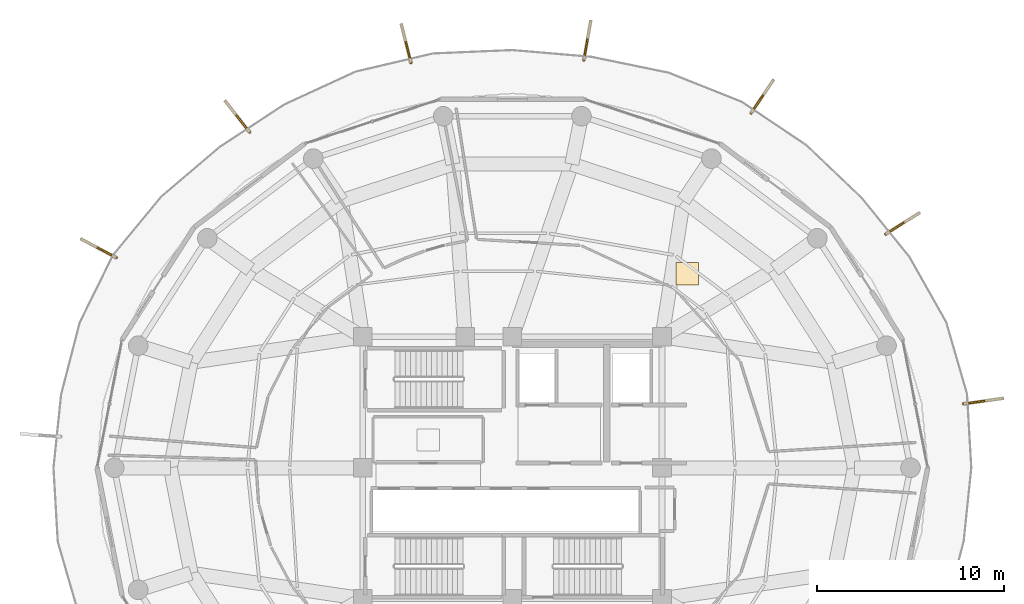
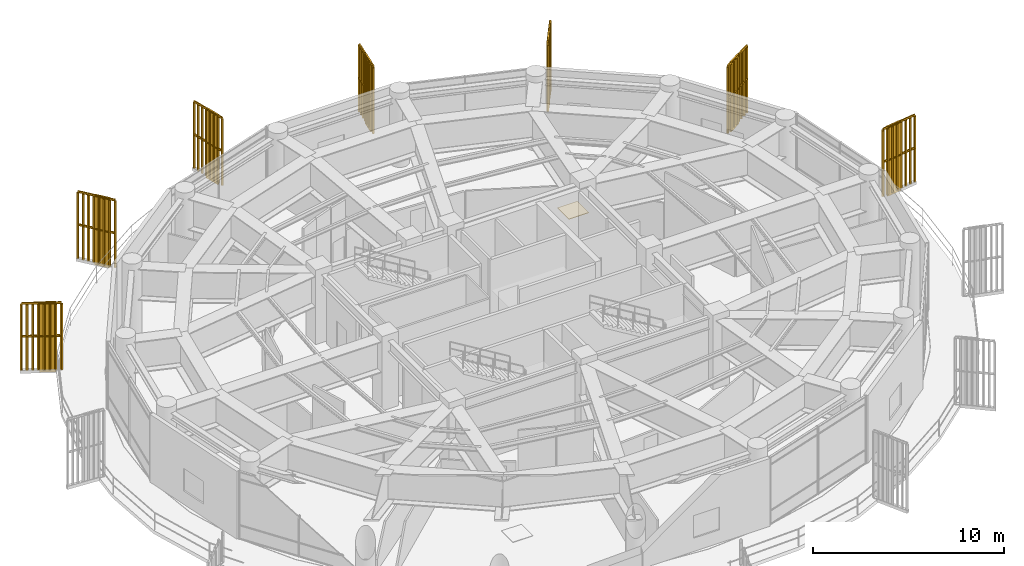
# One storey, part 29 of 29: 7 railings, 7 shading devices, 1 covering.
"""IFC4 building model written with IfcOpenShell, lengths in metres."""

from ifc_helpers import new_model, si_unit, direction, frame, origin, origin_2d, place, context, subcontext, project, spatial, polyline, rectangle, outline, extrude, source, transform, mapped, material, layer, layer_set, type_object, element, save


model = new_model("IFC4")

# Units and contexts
model_context = context("Model", 3, precision=1e-05, world=origin(), true_north=direction((0.0, 1.0)))
body_context = subcontext(model_context, "Body", "Model", "MODEL_VIEW")
ifc_project = project(units=[si_unit("LENGTHUNIT", "METRE"), si_unit("AREAUNIT", "SQUARE_METRE"), si_unit("VOLUMEUNIT", "CUBIC_METRE"), si_unit("PLANEANGLEUNIT", "RADIAN"), si_unit("MASSUNIT", "GRAM", prefix="KILO")], contexts=[model_context])

# Site, building, storey
site_placement = place(None, origin())
site = spatial("IfcSite", under=ifc_project, at=site_placement, CompositionType="ELEMENT")
building_placement = place(site_placement, origin())
building = spatial("IfcBuilding", under=site, at=building_placement, Name="Kelanora Arch Commons", CompositionType="ELEMENT")
storey_placement = place(building_placement, frame((0.0, 0.0, 238.199951171875)))
storey = spatial("IfcBuildingStorey", under=building, at=storey_placement, Name="L61", CompositionType="ELEMENT", Elevation=238.199951171875)

# Railings
ifc_material_1 = material(Name="Anodised bronze vertical shading fin rib assembly")
railing_type = type_object("IfcRailingType", Name="RAIL-FIN-BRZ", PredefinedType="BALUSTRADE", material=ifc_material_1)
railing_1_placement = place(storey_placement, frame((98.109619140625, 61.412353515625, -0.02001953125)))
element("IfcRailing", 1, at=railing_1_placement, inside=storey, type_object=railing_type, Name="Sweeping Bronze Vertical Fin Blade L61-02", PredefinedType="BALUSTRADE", context=body_context, shape_type="SweptSolid", body=[
    extrude(outline(polyline([(0.06982421875, 0.0), (0.034912109375, 0.060546875), (-0.034912109375, 0.060546875), (-0.06982421875, 0.0), (-0.034912109375, -0.060546875), (0.034912109375, -0.060546875), (0.06982421875, 0.0)])), frame((0.0, 0.0, 4.2900390625), z_axis=(0.990131658014, 0.140140286138, 0.0), x_axis=(-0.140140286138, 0.990131658014, 0.0)), (0.0, 0.0, 1.0), 2.10791015625),
    extrude(outline(polyline([(0.06982421875, 0.0), (0.034912109375, 0.060546875), (-0.034912109375, 0.060546875), (-0.06982421875, 0.0), (-0.034912109375, -0.060546875), (0.034912109375, -0.060546875), (0.06982421875, 0.0)])), frame((0.0, 0.0, 2.18017578125), z_axis=(0.990131658014, 0.140140286138, 0.0), x_axis=(-0.140140286138, 0.990131658014, 0.0)), (0.0, 0.0, 1.0), 2.10791015625),
    extrude(outline(polyline([(0.080078125, 0.0), (0.0400390625, 0.0693359375), (-0.0400390625, 0.0693359375), (-0.080078125, 0.0), (-0.0400390625, -0.0693359375), (0.0400390625, -0.0693359375), (0.080078125, 0.0)])), origin(), (0.0, 0.0, 1.0), 4.22021484375),
    extrude(outline(polyline([(0.080078125, 0.0), (0.0400390625, 0.0693359375), (-0.0400390625, 0.0693359375), (-0.080078125, 0.0), (-0.0400390625, -0.0693359375), (0.0400390625, -0.0693359375), (0.080078125, 0.0)])), frame((0.298095703125, 0.042236328125, 0.0)), (0.0, 0.0, 1.0), 4.22021484375),
    extrude(outline(polyline([(0.080078125, 0.0), (0.0400390625, 0.0693359375), (-0.0400390625, 0.0693359375), (-0.080078125, 0.0), (-0.0400390625, -0.0693359375), (0.0400390625, -0.0693359375), (0.080078125, 0.0)])), frame((0.596435546875, 0.08447265625, 0.0)), (0.0, 0.0, 1.0), 4.22021484375),
    extrude(outline(polyline([(0.080078125, 0.0), (0.0400390625, 0.0693359375), (-0.0400390625, 0.0693359375), (-0.080078125, 0.0), (-0.0400390625, -0.0693359375), (0.0400390625, -0.0693359375), (0.080078125, 0.0)])), frame((0.89453125, 0.126708984375, 0.0)), (0.0, 0.0, 1.0), 4.22021484375),
    extrude(outline(polyline([(0.080078125, 0.0), (0.0400390625, 0.0693359375), (-0.0400390625, 0.0693359375), (-0.080078125, 0.0), (-0.0400390625, -0.0693359375), (0.0400390625, -0.0693359375), (0.080078125, 0.0)])), frame((1.192626953125, 0.168701171875, 0.0)), (0.0, 0.0, 1.0), 4.22021484375),
    extrude(outline(polyline([(0.080078125, 0.0), (0.0400390625, 0.0693359375), (-0.0400390625, 0.0693359375), (-0.080078125, 0.0), (-0.0400390625, -0.0693359375), (0.0400390625, -0.0693359375), (0.080078125, 0.0)])), frame((1.49072265625, 0.2109375, 0.0)), (0.0, 0.0, 1.0), 4.22021484375),
    extrude(outline(polyline([(0.080078125, 0.0), (0.0400390625, 0.0693359375), (-0.0400390625, 0.0693359375), (-0.080078125, 0.0), (-0.0400390625, -0.0693359375), (0.0400390625, -0.0693359375), (0.080078125, 0.0)])), frame((1.7890625, 0.253173828125, 0.0)), (0.0, 0.0, 1.0), 4.22021484375),
    extrude(outline(polyline([(0.080078125, 0.0), (0.0400390625, 0.0693359375), (-0.0400390625, 0.0693359375), (-0.080078125, 0.0), (-0.0400390625, -0.0693359375), (0.0400390625, -0.0693359375), (0.080078125, 0.0)])), frame((2.087158203125, 0.29541015625, 0.0)), (0.0, 0.0, 1.0), 4.22021484375),
])
railing_2_placement = place(storey_placement, frame((93.95068359375, 70.49365234375, -0.02001953125)))
element("IfcRailing", 2, at=railing_2_placement, inside=storey, type_object=railing_type, Name="Sweeping Bronze Vertical Fin Blade L61-03", PredefinedType="BALUSTRADE", context=body_context, shape_type="SweptSolid", body=[
    extrude(outline(polyline([(0.06982421875, 0.0), (0.034912109375, 0.060546875), (-0.034912109375, 0.060546875), (-0.06982421875, 0.0), (-0.034912109375, -0.060546875), (0.034912109375, -0.060546875), (0.06982421875, 0.0)])), frame((0.0, 0.0, 4.2900390625), z_axis=(0.847535958975, 0.53073797513, 0.0), x_axis=(-0.53073797513, 0.847535958975, 0.0)), (0.0, 0.0, 1.0), 2.107666015625),
    extrude(outline(polyline([(0.06982421875, 0.0), (0.034912109375, 0.060546875), (-0.034912109375, 0.060546875), (-0.06982421875, 0.0), (-0.034912109375, -0.060546875), (0.034912109375, -0.060546875), (0.06982421875, 0.0)])), frame((0.0, 0.0, 2.18017578125), z_axis=(0.847535958975, 0.53073797513, 0.0), x_axis=(-0.53073797513, 0.847535958975, 0.0)), (0.0, 0.0, 1.0), 2.107666015625),
    extrude(outline(polyline([(0.080078125, 0.0), (0.0400390625, 0.0693359375), (-0.0400390625, 0.0693359375), (-0.080078125, 0.0), (-0.0400390625, -0.0693359375), (0.0400390625, -0.0693359375), (0.080078125, 0.0)])), origin(), (0.0, 0.0, 1.0), 4.22021484375),
    extrude(outline(polyline([(0.080078125, 0.0), (0.0400390625, 0.0693359375), (-0.0400390625, 0.0693359375), (-0.080078125, 0.0), (-0.0400390625, -0.0693359375), (0.0400390625, -0.0693359375), (0.080078125, 0.0)])), frame((0.255126953125, 0.159912109375, 0.0)), (0.0, 0.0, 1.0), 4.22021484375),
    extrude(outline(polyline([(0.080078125, 0.0), (0.0400390625, 0.0693359375), (-0.0400390625, 0.0693359375), (-0.080078125, 0.0), (-0.0400390625, -0.0693359375), (0.0400390625, -0.0693359375), (0.080078125, 0.0)])), frame((0.510498046875, 0.319580078125, 0.0)), (0.0, 0.0, 1.0), 4.22021484375),
    extrude(outline(polyline([(0.080078125, 0.0), (0.0400390625, 0.0693359375), (-0.0400390625, 0.0693359375), (-0.080078125, 0.0), (-0.0400390625, -0.0693359375), (0.0400390625, -0.0693359375), (0.080078125, 0.0)])), frame((0.765625, 0.4794921875, 0.0)), (0.0, 0.0, 1.0), 4.22021484375),
    extrude(outline(polyline([(0.080078125, 0.0), (0.0400390625, 0.0693359375), (-0.0400390625, 0.0693359375), (-0.080078125, 0.0), (-0.0400390625, -0.0693359375), (0.0400390625, -0.0693359375), (0.080078125, 0.0)])), frame((1.020751953125, 0.63916015625, 0.0)), (0.0, 0.0, 1.0), 4.22021484375),
    extrude(outline(polyline([(0.080078125, 0.0), (0.0400390625, 0.0693359375), (-0.0400390625, 0.0693359375), (-0.080078125, 0.0), (-0.0400390625, -0.0693359375), (0.0400390625, -0.0693359375), (0.080078125, 0.0)])), frame((1.27587890625, 0.799072265625, 0.0)), (0.0, 0.0, 1.0), 4.22021484375),
    extrude(outline(polyline([(0.080078125, 0.0), (0.0400390625, 0.0693359375), (-0.0400390625, 0.0693359375), (-0.080078125, 0.0), (-0.0400390625, -0.0693359375), (0.0400390625, -0.0693359375), (0.080078125, 0.0)])), frame((1.53125, 0.958740234375, 0.0)), (0.0, 0.0, 1.0), 4.22021484375),
    extrude(outline(polyline([(0.080078125, 0.0), (0.0400390625, 0.0693359375), (-0.0400390625, 0.0693359375), (-0.080078125, 0.0), (-0.0400390625, -0.0693359375), (0.0400390625, -0.0693359375), (0.080078125, 0.0)])), frame((1.786376953125, 1.11865234375, 0.0)), (0.0, 0.0, 1.0), 4.22021484375),
])
railing_3_placement = place(storey_placement, frame((86.761474609375, 76.95947265625, -0.02001953125)))
element("IfcRailing", 3, at=railing_3_placement, inside=storey, type_object=railing_type, Name="Sweeping Bronze Vertical Fin Blade L61-04", PredefinedType="BALUSTRADE", context=body_context, shape_type="SweptSolid", body=[
    extrude(outline(polyline([(0.06982421875, 0.0), (0.034912109375, 0.060546875), (-0.034912109375, 0.060546875), (-0.06982421875, 0.0), (-0.034912109375, -0.060546875), (0.034912109375, -0.060546875), (0.06982421875, 0.0)])), frame((0.0, 0.0, 4.2900390625), z_axis=(0.55835644156, 0.829601159696, 0.0), x_axis=(-0.829601159696, 0.55835644156, 0.0)), (0.0, 0.0, 1.0), 2.10791015625),
    extrude(outline(polyline([(0.06982421875, 0.0), (0.034912109375, 0.060546875), (-0.034912109375, 0.060546875), (-0.06982421875, 0.0), (-0.034912109375, -0.060546875), (0.034912109375, -0.060546875), (0.06982421875, 0.0)])), frame((0.0, 0.0, 2.18017578125), z_axis=(0.55835644156, 0.829601159696, 0.0), x_axis=(-0.829601159696, 0.55835644156, 0.0)), (0.0, 0.0, 1.0), 2.10791015625),
    extrude(outline(polyline([(0.080078125, 0.0), (0.0400390625, 0.0693359375), (-0.0400390625, 0.0693359375), (-0.080078125, 0.0), (-0.0400390625, -0.0693359375), (0.0400390625, -0.0693359375), (0.080078125, 0.0)])), origin(), (0.0, 0.0, 1.0), 4.22021484375),
    extrude(outline(polyline([(0.080078125, 0.0), (0.0400390625, 0.0693359375), (-0.0400390625, 0.0693359375), (-0.080078125, 0.0), (-0.0400390625, -0.0693359375), (0.0400390625, -0.0693359375), (0.080078125, 0.0)])), frame((0.168212890625, 0.249755859375, 0.0)), (0.0, 0.0, 1.0), 4.22021484375),
    extrude(outline(polyline([(0.080078125, 0.0), (0.0400390625, 0.0693359375), (-0.0400390625, 0.0693359375), (-0.080078125, 0.0), (-0.0400390625, -0.0693359375), (0.0400390625, -0.0693359375), (0.080078125, 0.0)])), frame((0.336181640625, 0.499755859375, 0.0)), (0.0, 0.0, 1.0), 4.22021484375),
    extrude(outline(polyline([(0.080078125, 0.0), (0.0400390625, 0.0693359375), (-0.0400390625, 0.0693359375), (-0.080078125, 0.0), (-0.0400390625, -0.0693359375), (0.0400390625, -0.0693359375), (0.080078125, 0.0)])), frame((0.50439453125, 0.74951171875, 0.0)), (0.0, 0.0, 1.0), 4.22021484375),
    extrude(outline(polyline([(0.080078125, 0.0), (0.0400390625, 0.0693359375), (-0.0400390625, 0.0693359375), (-0.080078125, 0.0), (-0.0400390625, -0.0693359375), (0.0400390625, -0.0693359375), (0.080078125, 0.0)])), frame((0.672607421875, 0.999267578125, 0.0)), (0.0, 0.0, 1.0), 4.22021484375),
    extrude(outline(polyline([(0.080078125, 0.0), (0.0400390625, 0.0693359375), (-0.0400390625, 0.0693359375), (-0.080078125, 0.0), (-0.0400390625, -0.0693359375), (0.0400390625, -0.0693359375), (0.080078125, 0.0)])), frame((0.8408203125, 1.2490234375, 0.0)), (0.0, 0.0, 1.0), 4.22021484375),
    extrude(outline(polyline([(0.080078125, 0.0), (0.0400390625, 0.0693359375), (-0.0400390625, 0.0693359375), (-0.080078125, 0.0), (-0.0400390625, -0.0693359375), (0.0400390625, -0.0693359375), (0.080078125, 0.0)])), frame((1.0087890625, 1.4990234375, 0.0)), (0.0, 0.0, 1.0), 4.22021484375),
    extrude(outline(polyline([(0.080078125, 0.0), (0.0400390625, 0.0693359375), (-0.0400390625, 0.0693359375), (-0.080078125, 0.0), (-0.0400390625, -0.0693359375), (0.0400390625, -0.0693359375), (0.080078125, 0.0)])), frame((1.177001953125, 1.748779296875, 0.0)), (0.0, 0.0, 1.0), 4.22021484375),
])
railing_4_placement = place(storey_placement, frame((77.81884765625, 79.7822265625, -0.02001953125)))
element("IfcRailing", 4, at=railing_4_placement, inside=storey, type_object=railing_type, Name="Sweeping Bronze Vertical Fin Blade L61-05", PredefinedType="BALUSTRADE", context=body_context, shape_type="SweptSolid", body=[
    extrude(outline(polyline([(0.06982421875, 0.0), (0.034912109375, 0.060546875), (-0.034912109375, 0.060546875), (-0.06982421875, 0.0), (-0.034912109375, -0.060546875), (0.034912109375, -0.060546875), (0.06982421875, 0.0)])), frame((0.0, 0.0, 4.2900390625), z_axis=(0.172675296301, 0.984978802842, 0.0), x_axis=(-0.984978802842, 0.172675296301, 0.0)), (0.0, 0.0, 1.0), 2.108154296875),
    extrude(outline(polyline([(0.06982421875, 0.0), (0.034912109375, 0.060546875), (-0.034912109375, 0.060546875), (-0.06982421875, 0.0), (-0.034912109375, -0.060546875), (0.034912109375, -0.060546875), (0.06982421875, 0.0)])), frame((0.0, 0.0, 2.18017578125), z_axis=(0.172675296301, 0.984978802842, 0.0), x_axis=(-0.984978802842, 0.172675296301, 0.0)), (0.0, 0.0, 1.0), 2.108154296875),
    extrude(outline(polyline([(0.080078125, 0.0), (0.0400390625, 0.0693359375), (-0.0400390625, 0.0693359375), (-0.080078125, 0.0), (-0.0400390625, -0.0693359375), (0.0400390625, -0.0693359375), (0.080078125, 0.0)])), origin(), (0.0, 0.0, 1.0), 4.22021484375),
    extrude(outline(polyline([(0.080078125, 0.0), (0.0400390625, 0.0693359375), (-0.0400390625, 0.0693359375), (-0.080078125, 0.0), (-0.0400390625, -0.0693359375), (0.0400390625, -0.0693359375), (0.080078125, 0.0)])), frame((0.052001953125, 0.296630859375, 0.0)), (0.0, 0.0, 1.0), 4.22021484375),
    extrude(outline(polyline([(0.080078125, 0.0), (0.0400390625, 0.0693359375), (-0.0400390625, 0.0693359375), (-0.080078125, 0.0), (-0.0400390625, -0.0693359375), (0.0400390625, -0.0693359375), (0.080078125, 0.0)])), frame((0.10400390625, 0.59326171875, 0.0)), (0.0, 0.0, 1.0), 4.22021484375),
    extrude(outline(polyline([(0.080078125, 0.0), (0.0400390625, 0.0693359375), (-0.0400390625, 0.0693359375), (-0.080078125, 0.0), (-0.0400390625, -0.0693359375), (0.0400390625, -0.0693359375), (0.080078125, 0.0)])), frame((0.156005859375, 0.889892578125, 0.0)), (0.0, 0.0, 1.0), 4.22021484375),
    extrude(outline(polyline([(0.080078125, 0.0), (0.0400390625, 0.0693359375), (-0.0400390625, 0.0693359375), (-0.080078125, 0.0), (-0.0400390625, -0.0693359375), (0.0400390625, -0.0693359375), (0.080078125, 0.0)])), frame((0.2080078125, 1.1865234375, 0.0)), (0.0, 0.0, 1.0), 4.22021484375),
    extrude(outline(polyline([(0.080078125, 0.0), (0.0400390625, 0.0693359375), (-0.0400390625, 0.0693359375), (-0.080078125, 0.0), (-0.0400390625, -0.0693359375), (0.0400390625, -0.0693359375), (0.080078125, 0.0)])), frame((0.260009765625, 1.483154296875, 0.0)), (0.0, 0.0, 1.0), 4.22021484375),
    extrude(outline(polyline([(0.080078125, 0.0), (0.0400390625, 0.0693359375), (-0.0400390625, 0.0693359375), (-0.080078125, 0.0), (-0.0400390625, -0.0693359375), (0.0400390625, -0.0693359375), (0.080078125, 0.0)])), frame((0.31201171875, 1.77978515625, 0.0)), (0.0, 0.0, 1.0), 4.22021484375),
    extrude(outline(polyline([(0.080078125, 0.0), (0.0400390625, 0.0693359375), (-0.0400390625, 0.0693359375), (-0.080078125, 0.0), (-0.0400390625, -0.0693359375), (0.0400390625, -0.0693359375), (0.080078125, 0.0)])), frame((0.364013671875, 2.076416015625, 0.0)), (0.0, 0.0, 1.0), 4.22021484375),
])
railing_5_placement = place(storey_placement, frame((68.580810546875, 79.645263671875, -0.02001953125)))
element("IfcRailing", 5, at=railing_5_placement, inside=storey, type_object=railing_type, Name="Sweeping Bronze Vertical Fin Blade L61-06", PredefinedType="BALUSTRADE", context=body_context, shape_type="SweptSolid", body=[
    extrude(outline(polyline([(0.06982421875, 0.0), (0.034912109375, 0.060546875), (-0.034912109375, 0.060546875), (-0.06982421875, 0.0), (-0.034912109375, -0.060546875), (0.034912109375, -0.060546875), (0.06982421875, 0.0)])), frame((0.0, 0.0, 4.2900390625), z_axis=(-0.242889904215, 0.970053861613, 0.0), x_axis=(-0.970053861613, -0.242889904215, 0.0)), (0.0, 0.0, 1.0), 2.10791015625),
    extrude(outline(polyline([(0.06982421875, 0.0), (0.034912109375, 0.060546875), (-0.034912109375, 0.060546875), (-0.06982421875, 0.0), (-0.034912109375, -0.060546875), (0.034912109375, -0.060546875), (0.06982421875, 0.0)])), frame((0.0, 0.0, 2.18017578125), z_axis=(-0.242889904215, 0.970053861613, 0.0), x_axis=(-0.970053861613, -0.242889904215, 0.0)), (0.0, 0.0, 1.0), 2.10791015625),
    extrude(outline(polyline([(0.080078125, 0.0), (0.0400390625, 0.0693359375), (-0.0400390625, 0.0693359375), (-0.080078125, 0.0), (-0.0400390625, -0.0693359375), (0.0400390625, -0.0693359375), (0.080078125, 0.0)])), origin(), (0.0, 0.0, 1.0), 4.22021484375),
    extrude(outline(polyline([(0.080078125, 0.0), (0.0400390625, 0.0693359375), (-0.0400390625, 0.0693359375), (-0.080078125, 0.0), (-0.0400390625, -0.0693359375), (0.0400390625, -0.0693359375), (0.080078125, 0.0)])), frame((-0.0732421875, 0.2919921875, 0.0)), (0.0, 0.0, 1.0), 4.22021484375),
    extrude(outline(polyline([(0.080078125, 0.0), (0.0400390625, 0.0693359375), (-0.0400390625, 0.0693359375), (-0.080078125, 0.0), (-0.0400390625, -0.0693359375), (0.0400390625, -0.0693359375), (0.080078125, 0.0)])), frame((-0.146240234375, 0.584228515625, 0.0)), (0.0, 0.0, 1.0), 4.22021484375),
    extrude(outline(polyline([(0.080078125, 0.0), (0.0400390625, 0.0693359375), (-0.0400390625, 0.0693359375), (-0.080078125, 0.0), (-0.0400390625, -0.0693359375), (0.0400390625, -0.0693359375), (0.080078125, 0.0)])), frame((-0.219482421875, 0.876220703125, 0.0)), (0.0, 0.0, 1.0), 4.22021484375),
    extrude(outline(polyline([(0.080078125, 0.0), (0.0400390625, 0.0693359375), (-0.0400390625, 0.0693359375), (-0.080078125, 0.0), (-0.0400390625, -0.0693359375), (0.0400390625, -0.0693359375), (0.080078125, 0.0)])), frame((-0.29248046875, 1.16845703125, 0.0)), (0.0, 0.0, 1.0), 4.22021484375),
    extrude(outline(polyline([(0.080078125, 0.0), (0.0400390625, 0.0693359375), (-0.0400390625, 0.0693359375), (-0.080078125, 0.0), (-0.0400390625, -0.0693359375), (0.0400390625, -0.0693359375), (0.080078125, 0.0)])), frame((-0.36572265625, 1.46044921875, 0.0)), (0.0, 0.0, 1.0), 4.22021484375),
    extrude(outline(polyline([(0.080078125, 0.0), (0.0400390625, 0.0693359375), (-0.0400390625, 0.0693359375), (-0.080078125, 0.0), (-0.0400390625, -0.0693359375), (0.0400390625, -0.0693359375), (0.080078125, 0.0)])), frame((-0.438720703125, 1.752685546875, 0.0)), (0.0, 0.0, 1.0), 4.22021484375),
    extrude(outline(polyline([(0.080078125, 0.0), (0.0400390625, 0.0693359375), (-0.0400390625, 0.0693359375), (-0.080078125, 0.0), (-0.0400390625, -0.0693359375), (0.0400390625, -0.0693359375), (0.080078125, 0.0)])), frame((-0.511962890625, 2.044677734375, 0.0)), (0.0, 0.0, 1.0), 4.22021484375),
])
railing_6_placement = place(storey_placement, frame((59.957275390625, 75.937744140625, -0.02001953125)))
element("IfcRailing", 6, at=railing_6_placement, inside=storey, type_object=railing_type, Name="Sweeping Bronze Vertical Fin Blade L61-07", PredefinedType="BALUSTRADE", context=body_context, shape_type="SweptSolid", body=[
    extrude(outline(polyline([(0.06982421875, 0.0), (0.034912109375, 0.060546875), (-0.034912109375, 0.060546875), (-0.06982421875, 0.0), (-0.034912109375, -0.060546875), (0.034912109375, -0.060546875), (0.06982421875, 0.0)])), frame((0.0, 0.0, 4.2900390625), z_axis=(-0.616455015647, 0.787390128007, 0.0), x_axis=(-0.787390128007, -0.616455015647, 0.0)), (0.0, 0.0, 1.0), 2.108154296875),
    extrude(outline(polyline([(0.06982421875, 0.0), (0.034912109375, 0.060546875), (-0.034912109375, 0.060546875), (-0.06982421875, 0.0), (-0.034912109375, -0.060546875), (0.034912109375, -0.060546875), (0.06982421875, 0.0)])), frame((0.0, 0.0, 2.18017578125), z_axis=(-0.616455015647, 0.787390128007, 0.0), x_axis=(-0.787390128007, -0.616455015647, 0.0)), (0.0, 0.0, 1.0), 2.108154296875),
    extrude(outline(polyline([(0.080078125, 0.0), (0.0400390625, 0.0693359375), (-0.0400390625, 0.0693359375), (-0.080078125, 0.0), (-0.0400390625, -0.0693359375), (0.0400390625, -0.0693359375), (0.080078125, 0.0)])), origin(), (0.0, 0.0, 1.0), 4.22021484375),
    extrude(outline(polyline([(0.080078125, 0.0), (0.0400390625, 0.0693359375), (-0.0400390625, 0.0693359375), (-0.080078125, 0.0), (-0.0400390625, -0.0693359375), (0.0400390625, -0.0693359375), (0.080078125, 0.0)])), frame((-0.185546875, 0.237060546875, 0.0)), (0.0, 0.0, 1.0), 4.22021484375),
    extrude(outline(polyline([(0.080078125, 0.0), (0.0400390625, 0.0693359375), (-0.0400390625, 0.0693359375), (-0.080078125, 0.0), (-0.0400390625, -0.0693359375), (0.0400390625, -0.0693359375), (0.080078125, 0.0)])), frame((-0.371337890625, 0.474365234375, 0.0)), (0.0, 0.0, 1.0), 4.22021484375),
    extrude(outline(polyline([(0.080078125, 0.0), (0.0400390625, 0.0693359375), (-0.0400390625, 0.0693359375), (-0.080078125, 0.0), (-0.0400390625, -0.0693359375), (0.0400390625, -0.0693359375), (0.080078125, 0.0)])), frame((-0.556884765625, 0.71142578125, 0.0)), (0.0, 0.0, 1.0), 4.22021484375),
    extrude(outline(polyline([(0.080078125, 0.0), (0.0400390625, 0.0693359375), (-0.0400390625, 0.0693359375), (-0.080078125, 0.0), (-0.0400390625, -0.0693359375), (0.0400390625, -0.0693359375), (0.080078125, 0.0)])), frame((-0.74267578125, 0.948486328125, 0.0)), (0.0, 0.0, 1.0), 4.22021484375),
    extrude(outline(polyline([(0.080078125, 0.0), (0.0400390625, 0.0693359375), (-0.0400390625, 0.0693359375), (-0.080078125, 0.0), (-0.0400390625, -0.0693359375), (0.0400390625, -0.0693359375), (0.080078125, 0.0)])), frame((-0.92822265625, 1.185546875, 0.0)), (0.0, 0.0, 1.0), 4.22021484375),
    extrude(outline(polyline([(0.080078125, 0.0), (0.0400390625, 0.0693359375), (-0.0400390625, 0.0693359375), (-0.080078125, 0.0), (-0.0400390625, -0.0693359375), (0.0400390625, -0.0693359375), (0.080078125, 0.0)])), frame((-1.114013671875, 1.4228515625, 0.0)), (0.0, 0.0, 1.0), 4.22021484375),
    extrude(outline(polyline([(0.080078125, 0.0), (0.0400390625, 0.0693359375), (-0.0400390625, 0.0693359375), (-0.080078125, 0.0), (-0.0400390625, -0.0693359375), (0.0400390625, -0.0693359375), (0.080078125, 0.0)])), frame((-1.299560546875, 1.659912109375, 0.0)), (0.0, 0.0, 1.0), 4.22021484375),
])
railing_7_placement = place(storey_placement, frame((52.830810546875, 69.2294921875, -0.02001953125)))
element("IfcRailing", 7, at=railing_7_placement, inside=storey, type_object=railing_type, Name="Sweeping Bronze Vertical Fin Blade L61-08", PredefinedType="BALUSTRADE", context=body_context, shape_type="SweptSolid", body=[
    extrude(outline(polyline([(0.06982421875, 0.0), (0.034912109375, 0.060546875), (-0.034912109375, 0.060546875), (-0.06982421875, 0.0), (-0.034912109375, -0.060546875), (0.034912109375, -0.060546875), (0.06982421875, 0.0)])), frame((0.0, 0.0, 4.2900390625), z_axis=(-0.883421426199, 0.468579324909, 0.0), x_axis=(-0.468579324909, -0.883421426199, 0.0)), (0.0, 0.0, 1.0), 2.108154296875),
    extrude(outline(polyline([(0.06982421875, 0.0), (0.034912109375, 0.060546875), (-0.034912109375, 0.060546875), (-0.06982421875, 0.0), (-0.034912109375, -0.060546875), (0.034912109375, -0.060546875), (0.06982421875, 0.0)])), frame((0.0, 0.0, 2.18017578125), z_axis=(-0.883421426199, 0.468579324909, 0.0), x_axis=(-0.468579324909, -0.883421426199, 0.0)), (0.0, 0.0, 1.0), 2.108154296875),
    extrude(outline(polyline([(0.080078125, 0.0), (0.0400390625, 0.0693359375), (-0.0400390625, 0.0693359375), (-0.080078125, 0.0), (-0.0400390625, -0.0693359375), (0.0400390625, -0.0693359375), (0.080078125, 0.0)])), origin(), (0.0, 0.0, 1.0), 4.22021484375),
    extrude(outline(polyline([(0.080078125, 0.0), (0.0400390625, 0.0693359375), (-0.0400390625, 0.0693359375), (-0.080078125, 0.0), (-0.0400390625, -0.0693359375), (0.0400390625, -0.0693359375), (0.080078125, 0.0)])), frame((-0.26611328125, 0.14111328125, 0.0)), (0.0, 0.0, 1.0), 4.22021484375),
    extrude(outline(polyline([(0.080078125, 0.0), (0.0400390625, 0.0693359375), (-0.0400390625, 0.0693359375), (-0.080078125, 0.0), (-0.0400390625, -0.0693359375), (0.0400390625, -0.0693359375), (0.080078125, 0.0)])), frame((-0.531982421875, 0.2822265625, 0.0)), (0.0, 0.0, 1.0), 4.22021484375),
    extrude(outline(polyline([(0.080078125, 0.0), (0.0400390625, 0.0693359375), (-0.0400390625, 0.0693359375), (-0.080078125, 0.0), (-0.0400390625, -0.0693359375), (0.0400390625, -0.0693359375), (0.080078125, 0.0)])), frame((-0.798095703125, 0.42333984375, 0.0)), (0.0, 0.0, 1.0), 4.22021484375),
    extrude(outline(polyline([(0.080078125, 0.0), (0.0400390625, 0.0693359375), (-0.0400390625, 0.0693359375), (-0.080078125, 0.0), (-0.0400390625, -0.0693359375), (0.0400390625, -0.0693359375), (0.080078125, 0.0)])), frame((-1.064208984375, 0.564453125, 0.0)), (0.0, 0.0, 1.0), 4.22021484375),
    extrude(outline(polyline([(0.080078125, 0.0), (0.0400390625, 0.0693359375), (-0.0400390625, 0.0693359375), (-0.080078125, 0.0), (-0.0400390625, -0.0693359375), (0.0400390625, -0.0693359375), (0.080078125, 0.0)])), frame((-1.330322265625, 0.70556640625, 0.0)), (0.0, 0.0, 1.0), 4.22021484375),
    extrude(outline(polyline([(0.080078125, 0.0), (0.0400390625, 0.0693359375), (-0.0400390625, 0.0693359375), (-0.080078125, 0.0), (-0.0400390625, -0.0693359375), (0.0400390625, -0.0693359375), (0.080078125, 0.0)])), frame((-1.59619140625, 0.8466796875, 0.0)), (0.0, 0.0, 1.0), 4.22021484375),
    extrude(outline(polyline([(0.080078125, 0.0), (0.0400390625, 0.0693359375), (-0.0400390625, 0.0693359375), (-0.080078125, 0.0), (-0.0400390625, -0.0693359375), (0.0400390625, -0.0693359375), (0.080078125, 0.0)])), frame((-1.8623046875, 0.98779296875, 0.0)), (0.0, 0.0, 1.0), 4.22021484375),
])

# Shading devices
ifc_material_2 = material(Name="Terracotta ceramic-clad extruded aluminium fin", Category="masonry")
shading_device_type = type_object("IfcShadingDeviceType", Name="SHD-FIN-FLARE", PredefinedType="USERDEFINED", material=ifc_material_2)
shared_shape_1 = source(origin(), body_context, "Body", "SweptSolid", [
    extrude(rectangle(XDim=0.8798828125, YDim=0.090087890625, at=origin_2d()), origin(), (0.0, 0.0, 1.0), 4.47998046875),
])
for number, where, z_axis, x_axis, name in (
    (8, (98.822509765625, 61.51318359375, -0.139892578125), (0.0, 0.0, 1.0), (0.990121784063, 0.140210030757, 0.0), "Sweeping Terracotta Fin L61-02"),
    (9, (94.560791015625, 70.875732421875, -0.139892578125), (0.0, 0.0, 1.0), (0.847492701108, 0.5308070474, 0.0), "Sweeping Terracotta Fin L61-03"),
    (10, (87.163330078125, 77.556884765625, -0.139892578125), (0.0, 0.0, 1.0), (0.558324430902, 0.829622703317, 0.0), "Sweeping Terracotta Fin L61-04"),
    (11, (77.943115234375, 80.491455078125, -0.139892578125), (0.0, 0.0, 1.0), (0.172616794375, 0.984989056944, 0.0), "Sweeping Terracotta Fin L61-05"),
    (12, (68.406005859375, 80.343505859375, -0.139892578125), (0.0, 0.0, 1.0), (-0.242937854074, 0.970041854282, 0.0), "Sweeping Terracotta Fin L61-06"),
    (13, (59.513427734375, 76.504638671875, -0.139892578125), (0.0, 0.0, 1.0), (-0.616486340532, 0.78736560246, 0.0), "Sweeping Terracotta Fin L61-07"),
    (14, (52.194580078125, 69.56689453125, -0.139892578125), (0.0, 0.0, 1.0), (-0.88343873811, 0.468546684981, 0.0), "Sweeping Terracotta Fin L61-08"),
):
    element("IfcShadingDevice", number, at=place(storey_placement, frame(where, z_axis=z_axis, x_axis=x_axis)), inside=storey, type_object=shading_device_type, Name=name, ObjectType="FIN", PredefinedType="USERDEFINED", context=body_context, shape_type="MappedRepresentation", body=[
        mapped(shared_shape_1, transform((0.0, 0.0, 0.0), scale=1.0)),
    ])

# Covering
ifc_material_3 = material(Name="Polished local granite terrazzo flooring", Category="masonry")
ifc_layer = layer(ifc_material_3, 0.030029296875)
ifc_layer_set = layer_set([ifc_layer], Name="Polished local granite terrazzo flooring")
covering_type = type_object("IfcCoveringType", Name="COV-FLR-TER", PredefinedType="FLOORING", material=ifc_layer_set)
shared_shape_2 = source(origin(), body_context, "Body", "SweptSolid", [
    extrude(rectangle(XDim=1.199951171875, YDim=1.199951171875, at=origin_2d()), origin(), (0.0, 0.0, 1.0), 0.030029296875),
])
covering_placement = place(storey_placement, frame((83.347412109375, 68.368408203125, 0.0), z_axis=(0.0, 0.0, 1.0), x_axis=(1.0, 0.0, 0.0)))
element("IfcCovering", 15, at=covering_placement, inside=storey, type_object=covering_type, Name="East Horizon Quiet Study Lounge L61 Terrazzo Finish", PredefinedType="FLOORING", context=body_context, shape_type="MappedRepresentation", body=[
    mapped(shared_shape_2, transform((0.0, 0.0, 0.0), scale=1.0)),
])

save(model, "model.ifc")
